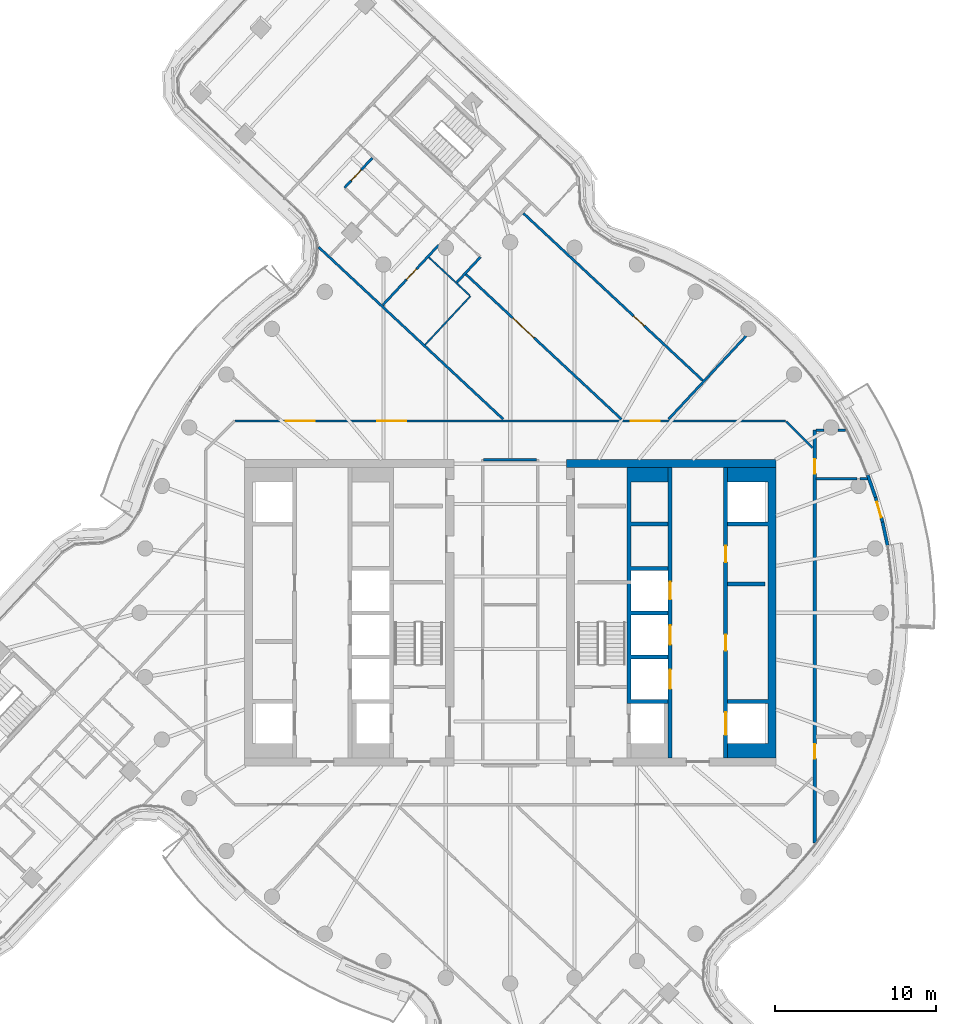
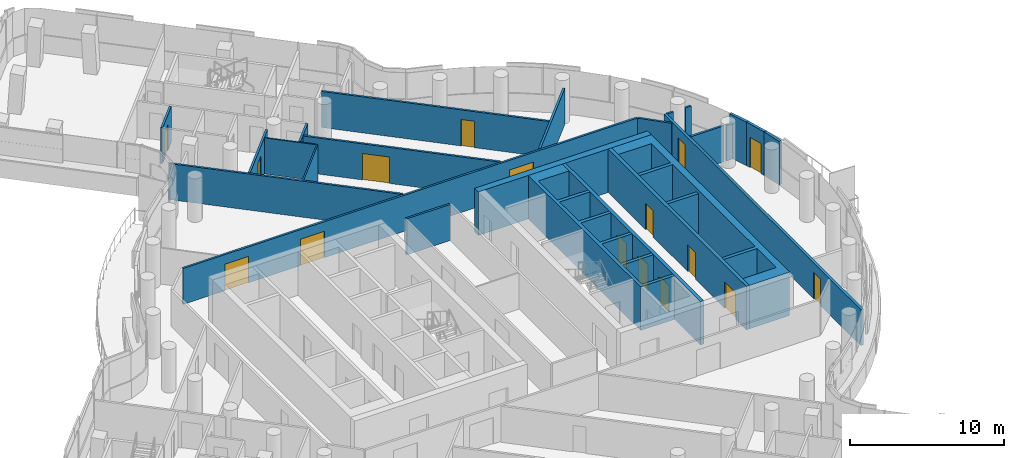
# One storey, part 20 of 30: 26 walls, 16 doors, 16 openings.
"""IFC4 building model written with IfcOpenShell, lengths in metres."""

from ifc_helpers import new_model, si_unit, direction, frame, frame_2d, origin, place, context, subcontext, project, spatial, polyline, rectangle, outline, extrude, material, layer, layer_set, type_object, element, fill, save


model = new_model("IFC4")

# Units and contexts
model_context = context("Model", 3, precision=1e-05, world=origin(), true_north=direction((0.0, 1.0)))
body_context = subcontext(model_context, "Body", "Model", "MODEL_VIEW")
ifc_project = project(units=[si_unit("LENGTHUNIT", "METRE"), si_unit("AREAUNIT", "SQUARE_METRE"), si_unit("VOLUMEUNIT", "CUBIC_METRE"), si_unit("PLANEANGLEUNIT", "RADIAN"), si_unit("MASSUNIT", "GRAM", prefix="KILO")], contexts=[model_context])

# Site, building, storey
site_placement = place(None, origin())
site = spatial("IfcSite", under=ifc_project, at=site_placement, CompositionType="ELEMENT")
building_placement = place(site_placement, origin())
building = spatial("IfcBuilding", under=site, at=building_placement, Name="Tamarind Cross Interchange Tower", CompositionType="ELEMENT")
storey_placement = place(building_placement, frame((0.0, 0.0, 204.10009765625)))
storey = spatial("IfcBuildingStorey", under=building, at=storey_placement, Name="L51", CompositionType="ELEMENT", Elevation=204.10009765625)

# Walls
ifc_material_1 = material(Name="Concrete C40", Category="concrete")
ifc_layer_1 = layer(ifc_material_1, 0.199951171875)
ifc_layer_set_1 = layer_set([ifc_layer_1], Name="Concrete C40")
wall_type_1 = type_object("IfcWallType", Name="Balcony and garden door wall", PredefinedType="SOLIDWALL", material=ifc_layer_set_1)
wall_1_placement = place(storey_placement, frame((23.418212890625, 4.18505859375, 0.0), z_axis=(0.0, 0.0, 1.0), x_axis=(-0.209313701181, 0.977848543742, 0.0)))
element("IfcWall", 1, at=wall_1_placement, inside=storey, type_object=wall_type_1, Name="EXW-L51-06-D07L", PredefinedType="SOLIDWALL", context=body_context, shape_type="SweptSolid", body=[
    extrude(rectangle(XDim=1.470703125, YDim=0.199951171875, at=frame_2d((0.7353515625, 0.0))), origin(), (0.0, 0.0, 1.0), 3.4599609375),
])
wall_2_placement = place(storey_placement, frame((22.673095703125, 7.16162109375, 0.0), z_axis=(0.0, 0.0, 1.0), x_axis=(-0.331090308045, 0.943599071597, 0.0)))
element("IfcWall", 2, at=wall_2_placement, inside=storey, type_object=wall_type_1, Name="EXW-L51-06-D07R", PredefinedType="SOLIDWALL", context=body_context, shape_type="SweptSolid", body=[
    extrude(rectangle(XDim=1.4697265625, YDim=0.199951171875, at=frame_2d((0.73486328125, 0.0))), origin(), (0.0, 0.0, 1.0), 3.4599609375),
])

# Wall, opening, door
wall_3_placement = place(storey_placement, frame((23.1103515625, 5.623291015625, 0.0), z_axis=(0.0, 0.0, 1.0), x_axis=(-0.273410318948, 0.961897498433, 0.0)))
wall_3 = element("IfcWall", 3, at=wall_3_placement, inside=storey, type_object=wall_type_1, Name="EXW-L51-06-D07", PredefinedType="SOLIDWALL", context=body_context, shape_type="SweptSolid", body=[
    extrude(rectangle(XDim=1.599365234375, YDim=0.199951171875, at=frame_2d((0.7998046875, 0.0))), origin(), (0.0, 0.0, 1.0), 3.4599609375),
])
opening_1_placement = place(wall_3_placement, frame((0.299560546875, 0.0, 0.0)))
opening_1 = element("IfcOpeningElement", 4, at=opening_1_placement, cuts=wall_3, Name="Opening D2", PredefinedType="OPENING", context=body_context, shape_type="SweptSolid", body=[
    extrude(rectangle(XDim=1.0, YDim=2.39990234375, at=frame_2d((0.5, 1.199951171875))), frame((0.0, 0.10986328125, 0.0), z_axis=(0.0, -1.0, 0.0), x_axis=(1.0, 0.0, 0.0)), (0.0, 0.0, 1.0), 0.219970703125),
])
ifc_material_2 = material(Name="Aluminium and toughened glass", Category="aluminium")
door_type_1 = type_object("IfcDoorType", Name="Balcony and garden door", OperationType="SINGLE_SWING_LEFT", PredefinedType="DOOR", material=ifc_material_2)
door_1_placement = place(opening_1_placement, origin())
door_1 = element("IfcDoor", 5, at=door_1_placement, inside=storey, type_object=door_type_1, Name="DOR-L51-06-07", OperationType="SINGLE_SWING_LEFT", OverallHeight=2.39990234375, OverallWidth=1.0, PredefinedType="DOOR", context=body_context, shape_type="SweptSolid", body=[
    extrude(rectangle(XDim=1.0, YDim=2.39990234375, at=frame_2d((0.5, 1.199951171875))), frame((0.0, 0.02490234375, 0.0), z_axis=(0.0, -1.0, 0.0), x_axis=(1.0, 0.0, 0.0)), (0.0, 0.0, 1.0), 0.050048828125),
])
fill(opening_1, door_1)

# Walls
ifc_material_3 = material(Name="Concrete C55", Category="concrete")
ifc_layer_2 = layer(ifc_material_3, 0.5)
ifc_layer_set_2 = layer_set([ifc_layer_2], Name="Concrete C55")
wall_type_2 = type_object("IfcWallType", Name="Core wall 500 mm Concrete C55", PredefinedType="SHEAR", material=ifc_layer_set_2)
wall_4_placement = place(storey_placement, origin())
element("IfcWall", 6, at=wall_4_placement, inside=storey, type_object=wall_type_2, Name="Core wall CWL-L51-E-A", PredefinedType="SHEAR", context=body_context, shape_type="SweptSolid", body=[
    extrude(outline(polyline([(13.5, -8.125), (13.5, -9.0), (16.0, -9.0), (16.5, -9.0), (16.5, 9.0), (16.0, 9.0), (13.5, 9.0), (13.5, 8.125), (16.0, 8.125), (16.0, 5.625), (13.5, 5.625), (13.5, 5.375), (16.0, 5.375), (16.0, -5.375), (13.5, -5.375), (13.5, -5.625), (16.0, -5.625), (16.0, -8.125), (13.5, -8.125)])), origin(), (0.0, 0.0, 1.0), 3.4599609375),
])
wall_5_placement = place(storey_placement, frame((16.5, 9.25, 0.0), z_axis=(0.0, 0.0, 1.0), x_axis=(-1.0, 0.0, 0.0)))
element("IfcWall", 7, at=wall_5_placement, inside=storey, type_object=wall_type_2, Name="Core wall CWL-L51-E-NE", PredefinedType="SHEAR", context=body_context, shape_type="SweptSolid", body=[
    extrude(rectangle(XDim=13.0, YDim=0.5, at=frame_2d((6.5, 0.0))), origin(), (0.0, 0.0, 1.0), 3.4599609375),
])
ifc_layer_3 = layer(ifc_material_3, 0.25)
ifc_layer_set_3 = layer_set([ifc_layer_3], Name="Concrete C55")
wall_type_3 = type_object("IfcWallType", Name="Core web wall 250 mm Concrete C55", PredefinedType="SHEAR", material=ifc_layer_set_3)
wall_6_placement = place(storey_placement, origin())
element("IfcWall", 8, at=wall_6_placement, inside=storey, type_object=wall_type_3, Name="Core wall CWL-L51-E-BN", PredefinedType="SHEAR", context=body_context, shape_type="SweptSolid", body=[
    extrude(outline(polyline([(9.800048828125, -5.375), (7.5, -5.375), (7.5, -2.875), (9.800048828125, -2.875), (9.800048828125, -2.625), (7.5, -2.625), (7.5, -0.125), (9.800048828125, -0.125), (9.800048828125, 0.125), (7.5, 0.125), (7.5, 2.625), (9.800048828125, 2.625), (9.800048828125, 2.875), (7.5, 2.875), (7.5, 5.375), (9.800048828125, 5.375), (9.800048828125, 5.625), (7.5, 5.625), (7.5, 8.125), (9.800048828125, 8.125), (9.800048828125, 9.0), (7.5, 9.0), (7.25, 9.0), (7.25, -5.625), (7.5, -5.625), (9.800048828125, -5.625), (9.800048828125, -5.375)])), origin(), (0.0, 0.0, 1.0), 3.4599609375),
])

# Wall, openings, doors
wall_7_placement = place(storey_placement, frame((13.375, -9.0, 0.0), z_axis=(0.0, 0.0, 1.0), x_axis=(0.0, 1.0, 0.0)))
wall_7 = element("IfcWall", 9, at=wall_7_placement, inside=storey, type_object=wall_type_3, Name="Core wall CWL-L51-E-LA", PredefinedType="SHEAR", context=body_context, shape_type="SweptSolid", body=[
    extrude(rectangle(XDim=18.0, YDim=0.25, at=frame_2d((9.0, 0.0))), origin(), (0.0, 0.0, 1.0), 3.4599609375),
])
opening_2_placement = place(wall_7_placement, frame((1.425048828125, 0.0, 0.0)))
opening_2 = element("IfcOpeningElement", 10, at=opening_2_placement, cuts=wall_7, Name="Opening LD13L51", PredefinedType="OPENING", context=body_context, shape_type="SweptSolid", body=[
    extrude(rectangle(XDim=1.39990234375, YDim=2.10009765625, at=frame_2d((0.699951171875, 1.050048828125))), frame((0.0, 0.135009765625, 0.0), z_axis=(0.0, -1.0, 0.0), x_axis=(1.0, 0.0, 0.0)), (0.0, 0.0, 1.0), 0.27001953125),
])
opening_3_placement = place(wall_7_placement, frame((6.64599609375, 0.0, 0.0)))
opening_3 = element("IfcOpeningElement", 11, at=opening_3_placement, cuts=wall_7, Name="Opening DCE9", PredefinedType="OPENING", context=body_context, shape_type="SweptSolid", body=[
    extrude(rectangle(XDim=1.0, YDim=2.10009765625, at=frame_2d((0.5, 1.050048828125))), frame((0.0, 0.135009765625, 0.0), z_axis=(0.0, -1.0, 0.0), x_axis=(1.0, 0.0, 0.0)), (0.0, 0.0, 1.0), 0.27001953125),
])
opening_4_placement = place(wall_7_placement, frame((12.14599609375, 0.0, 0.0)))
opening_4 = element("IfcOpeningElement", 12, at=opening_4_placement, cuts=wall_7, Name="Opening DCE10", PredefinedType="OPENING", context=body_context, shape_type="SweptSolid", body=[
    extrude(rectangle(XDim=1.0, YDim=2.10009765625, at=frame_2d((0.5, 1.050048828125))), frame((0.0, 0.135009765625, 0.0), z_axis=(0.0, -1.0, 0.0), x_axis=(1.0, 0.0, 0.0)), (0.0, 0.0, 1.0), 0.27001953125),
])
ifc_material_4 = material(Name="Steel, fire-resisting", Category="steel")
door_type_2 = type_object("IfcDoorType", Name="Core fire door 1000 x 2100 FD90", OperationType="SINGLE_SWING_LEFT", PredefinedType="DOOR", material=ifc_material_4)
door_2_placement = place(opening_3_placement, origin())
door_2 = element("IfcDoor", 13, at=door_2_placement, inside=storey, type_object=door_type_2, Name="L51 Ice and vending room door", OperationType="SINGLE_SWING_LEFT", OverallHeight=2.10009765625, OverallWidth=1.0, PredefinedType="DOOR", context=body_context, shape_type="SweptSolid", body=[
    extrude(rectangle(XDim=1.0, YDim=2.10009765625, at=frame_2d((0.5, 1.050048828125))), frame((0.0, 0.02490234375, 0.0), z_axis=(0.0, -1.0, 0.0), x_axis=(1.0, 0.0, 0.0)), (0.0, 0.0, 1.0), 0.050048828125),
])
fill(opening_3, door_2)
door_3_placement = place(opening_4_placement, origin())
door_3 = element("IfcDoor", 14, at=door_3_placement, inside=storey, type_object=door_type_2, Name="L51 Guest laundry door", OperationType="SINGLE_SWING_LEFT", OverallHeight=2.10009765625, OverallWidth=1.0, PredefinedType="DOOR", context=body_context, shape_type="SweptSolid", body=[
    extrude(rectangle(XDim=1.0, YDim=2.10009765625, at=frame_2d((0.5, 1.050048828125))), frame((0.0, 0.02490234375, 0.0), z_axis=(0.0, -1.0, 0.0), x_axis=(1.0, 0.0, 0.0)), (0.0, 0.0, 1.0), 0.050048828125),
])
fill(opening_4, door_3)
ifc_material_5 = material(Name="Stainless steel panel", Category="steel")
door_type_3 = type_object("IfcDoorType", Name="Lift landing door 1400 x 2100 E 120", OperationType="SLIDING_TO_LEFT", PredefinedType="DOOR", material=ifc_material_5)
door_4_placement = place(opening_2_placement, origin())
door_4 = element("IfcDoor", 15, at=door_4_placement, inside=storey, type_object=door_type_3, Name="L51 landing door LF13", OperationType="SLIDING_TO_LEFT", OverallHeight=2.10009765625, OverallWidth=1.39990234375, PredefinedType="DOOR", context=body_context, shape_type="SweptSolid", body=[
    extrude(rectangle(XDim=1.39990234375, YDim=2.10009765625, at=frame_2d((0.699951171875, 1.050048828125))), frame((0.0, 0.02490234375, 0.0), z_axis=(0.0, -1.0, 0.0), x_axis=(1.0, 0.0, 0.0)), (0.0, 0.0, 1.0), 0.050048828125),
])
fill(opening_2, door_4)

wall_8_placement = place(storey_placement, frame((9.925048828125, -9.0, 0.0), z_axis=(0.0, 0.0, 1.0), x_axis=(0.0, 1.0, 0.0)))
wall_8 = element("IfcWall", 16, at=wall_8_placement, inside=storey, type_object=wall_type_3, Name="Core wall CWL-L51-E-LB", PredefinedType="SHEAR", context=body_context, shape_type="SweptSolid", body=[
    extrude(rectangle(XDim=18.0, YDim=0.25, at=frame_2d((9.0, 0.0))), origin(), (0.0, 0.0, 1.0), 3.4599609375),
])
opening_5_placement = place(wall_8_placement, frame((4.27490234375, 0.0, 0.0)))
opening_5 = element("IfcOpeningElement", 17, at=opening_5_placement, cuts=wall_8, Name="Opening LD20L51", PredefinedType="OPENING", context=body_context, shape_type="SweptSolid", body=[
    extrude(rectangle(XDim=1.199951171875, YDim=2.10009765625, at=frame_2d((0.60009765625, 1.050048828125))), frame((0.0, 0.135009765625, 0.0), z_axis=(0.0, -1.0, 0.0), x_axis=(1.0, 0.0, 0.0)), (0.0, 0.0, 1.0), 0.27001953125),
])
opening_6_placement = place(wall_8_placement, frame((7.02490234375, 0.0, 0.0)))
opening_6 = element("IfcOpeningElement", 18, at=opening_6_placement, cuts=wall_8, Name="Opening LD21L51", PredefinedType="OPENING", context=body_context, shape_type="SweptSolid", body=[
    extrude(rectangle(XDim=1.199951171875, YDim=2.10009765625, at=frame_2d((0.60009765625, 1.050048828125))), frame((0.0, 0.135009765625, 0.0), z_axis=(0.0, -1.0, 0.0), x_axis=(1.0, 0.0, 0.0)), (0.0, 0.0, 1.0), 0.27001953125),
])
opening_7_placement = place(wall_8_placement, frame((9.824951171875, 0.0, 0.0)))
opening_7 = element("IfcOpeningElement", 19, at=opening_7_placement, cuts=wall_8, Name="Opening LD22L51", PredefinedType="OPENING", context=body_context, shape_type="SweptSolid", body=[
    extrude(rectangle(XDim=1.10009765625, YDim=2.10009765625, at=frame_2d((0.550048828125, 1.050048828125))), frame((0.0, 0.135009765625, 0.0), z_axis=(0.0, -1.0, 0.0), x_axis=(1.0, 0.0, 0.0)), (0.0, 0.0, 1.0), 0.27001953125),
])
door_type_4 = type_object("IfcDoorType", Name="Lift landing door 1100 x 2100 E 120", OperationType="SLIDING_TO_LEFT", PredefinedType="DOOR", material=ifc_material_5)
door_5_placement = place(opening_7_placement, origin())
door_5 = element("IfcDoor", 20, at=door_5_placement, inside=storey, type_object=door_type_4, Name="L51 landing door LF22", OperationType="SLIDING_TO_LEFT", OverallHeight=2.10009765625, OverallWidth=1.10009765625, PredefinedType="DOOR", context=body_context, shape_type="SweptSolid", body=[
    extrude(rectangle(XDim=1.10009765625, YDim=2.10009765625, at=frame_2d((0.550048828125, 1.050048828125))), frame((0.0, 0.02490234375, 0.0), z_axis=(0.0, -1.0, 0.0), x_axis=(1.0, 0.0, 0.0)), (0.0, 0.0, 1.0), 0.050048828125),
])
fill(opening_7, door_5)
door_type_5 = type_object("IfcDoorType", Name="Lift landing door 1200 x 2100 E 120", OperationType="SLIDING_TO_LEFT", PredefinedType="DOOR", material=ifc_material_5)
door_6_placement = place(opening_5_placement, origin())
door_6 = element("IfcDoor", 21, at=door_6_placement, inside=storey, type_object=door_type_5, Name="L51 landing door LF20", OperationType="SLIDING_TO_LEFT", OverallHeight=2.10009765625, OverallWidth=1.199951171875, PredefinedType="DOOR", context=body_context, shape_type="SweptSolid", body=[
    extrude(rectangle(XDim=1.199951171875, YDim=2.10009765625, at=frame_2d((0.60009765625, 1.050048828125))), frame((0.0, 0.02490234375, 0.0), z_axis=(0.0, -1.0, 0.0), x_axis=(1.0, 0.0, 0.0)), (0.0, 0.0, 1.0), 0.050048828125),
])
fill(opening_5, door_6)
door_7_placement = place(opening_6_placement, origin())
door_7 = element("IfcDoor", 22, at=door_7_placement, inside=storey, type_object=door_type_5, Name="L51 landing door LF21", OperationType="SLIDING_TO_LEFT", OverallHeight=2.10009765625, OverallWidth=1.199951171875, PredefinedType="DOOR", context=body_context, shape_type="SweptSolid", body=[
    extrude(rectangle(XDim=1.199951171875, YDim=2.10009765625, at=frame_2d((0.60009765625, 1.050048828125))), frame((0.0, 0.02490234375, 0.0), z_axis=(0.0, -1.0, 0.0), x_axis=(1.0, 0.0, 0.0)), (0.0, 0.0, 1.0), 0.050048828125),
])
fill(opening_6, door_7)

# Walls
ifc_material_6 = material(Name="Gypsum board partition on steel studs", Category="steel")
ifc_layer_4 = layer(ifc_material_6, 0.10009765625)
ifc_layer_set_4 = layer_set([ifc_layer_4], Name="Gypsum board partition on steel studs")
wall_type_4 = type_object("IfcWallType", Name="Partition 100 mm EI 90", PredefinedType="PARTITIONING", material=ifc_layer_set_4)
wall_9_placement = place(storey_placement, frame((-5.043212890625, 22.052978515625, 0.0), z_axis=(0.0, 0.0, 1.0), x_axis=(0.731533911218, -0.681805057724, 0.0)))
element("IfcWall", 23, at=wall_9_placement, inside=storey, type_object=wall_type_4, Name="Partition L51-022", PredefinedType="PARTITIONING", context=body_context, shape_type="SweptSolid", body=[
    extrude(rectangle(XDim=3.475830078125, YDim=0.10009765625, at=frame_2d((1.73779296875, 0.0))), origin(), (0.0, 0.0, 1.0), 2.864013671875),
])
wall_10_placement = place(storey_placement, frame((-5.27685546875, 16.6318359375, 0.0), z_axis=(0.0, 0.0, 1.0), x_axis=(0.681902700844, 0.731442893589, 0.0)))
element("IfcWall", 24, at=wall_10_placement, inside=storey, type_object=wall_type_4, Name="Partition L51-060", PredefinedType="PARTITIONING", context=body_context, shape_type="SweptSolid", body=[
    extrude(rectangle(XDim=4.124755859375, YDim=0.10009765625, at=frame_2d((2.0625, 0.0))), origin(), (0.0, 0.0, 1.0), 2.864013671875),
])
ifc_layer_5 = layer(ifc_material_6, 0.14990234375)
ifc_layer_set_5 = layer_set([ifc_layer_5], Name="Gypsum board partition on steel studs")
wall_type_5 = type_object("IfcWallType", Name="Partition 150 mm EI 120", PredefinedType="PARTITIONING", material=ifc_layer_set_5)
wall_11_placement = place(storey_placement, frame((17.12841796875, 11.87158203125, 0.0), z_axis=(0.0, 0.0, 1.0), x_axis=(0.707106781187, -0.707106781187, 0.0)))
element("IfcWall", 25, at=wall_11_placement, inside=storey, type_object=wall_type_5, Name="Partition L51-002", PredefinedType="PARTITIONING", context=body_context, shape_type="SweptSolid", body=[
    extrude(rectangle(XDim=2.3154296875, YDim=0.14990234375, at=frame_2d((1.15771484375, 0.0))), origin(), (0.0, 0.0, 1.0), 2.864013671875),
])
wall_12_placement = place(storey_placement, frame((-11.882080078125, 22.68505859375, 0.0), z_axis=(0.0, 0.0, 1.0), x_axis=(0.731545196646, -0.681792948969, 0.0)))
element("IfcWall", 26, at=wall_12_placement, inside=storey, type_object=wall_type_5, Name="Partition L51-016", PredefinedType="PARTITIONING", context=body_context, shape_type="SweptSolid", body=[
    extrude(rectangle(XDim=15.65380859375, YDim=0.14990234375, at=frame_2d((7.826904296875, 0.0))), origin(), (0.0, 0.0, 1.0), 2.864013671875),
])

# Wall, opening, door
wall_13_placement = place(storey_placement, frame((-2.738525390625, 20.99755859375, 0.0), z_axis=(0.0, 0.0, 1.0), x_axis=(0.731582971987, -0.681752414809, 0.0)))
wall_13 = element("IfcWall", 27, at=wall_13_placement, inside=storey, type_object=wall_type_5, Name="Partition L51-023", PredefinedType="PARTITIONING", context=body_context, shape_type="SweptSolid", body=[
    extrude(rectangle(XDim=13.179443359375, YDim=0.14990234375, at=frame_2d((6.58984375, 0.0))), origin(), (0.0, 0.0, 1.0), 2.864013671875),
])
opening_8_placement = place(wall_13_placement, frame((3.969970703125, 0.0, 0.0)))
opening_8 = element("IfcOpeningElement", 28, at=opening_8_placement, cuts=wall_13, Name="Opening D12", PredefinedType="OPENING", context=body_context, shape_type="SweptSolid", body=[
    extrude(rectangle(XDim=1.800048828125, YDim=2.10009765625, at=frame_2d((0.89990234375, 1.050048828125))), frame((0.0, 0.0849609375, 0.0), z_axis=(0.0, -1.0, 0.0), x_axis=(1.0, 0.0, 0.0)), (0.0, 0.0, 1.0), 0.169921875),
])
ifc_material_7 = material(Name="Fire-resisting door set")
door_type_6 = type_object("IfcDoorType", Name="Interior door 1800 x 2100 FD60S", OperationType="DOUBLE_DOOR_SINGLE_SWING", PredefinedType="DOOR", material=ifc_material_7)
door_8_placement = place(opening_8_placement, frame((1.800048828125, 0.0, 0.0), z_axis=(0.0, 0.0, 1.0), x_axis=(-1.0, 0.0, 0.0)))
door_8 = element("IfcDoor", 29, at=door_8_placement, inside=storey, type_object=door_type_6, Name="Door D12", OperationType="DOUBLE_DOOR_SINGLE_SWING", OverallHeight=2.10009765625, OverallWidth=1.800048828125, PredefinedType="DOOR", context=body_context, shape_type="SweptSolid", body=[
    extrude(rectangle(XDim=1.800048828125, YDim=2.10009765625, at=frame_2d((0.89990234375, 1.050048828125))), frame((0.0, 0.02490234375, 0.0), z_axis=(0.0, -1.0, 0.0), x_axis=(1.0, 0.0, 0.0)), (0.0, 0.0, 1.0), 0.050048828125),
])
fill(opening_8, door_8)

wall_14_placement = place(storey_placement, frame((0.822265625, 24.788818359375, 0.0), z_axis=(0.0, 0.0, 1.0), x_axis=(0.731510126667, -0.681830576158, 0.0)))
wall_14 = element("IfcWall", 30, at=wall_14_placement, inside=storey, type_object=wall_type_5, Name="Partition L51-027", PredefinedType="PARTITIONING", context=body_context, shape_type="SweptSolid", body=[
    extrude(rectangle(XDim=15.2197265625, YDim=0.14990234375, at=frame_2d((7.60986328125, 0.0))), origin(), (0.0, 0.0, 1.0), 2.864013671875),
])
opening_9_placement = place(wall_14_placement, frame((9.35009765625, 0.0, 0.0)))
opening_9 = element("IfcOpeningElement", 31, at=opening_9_placement, cuts=wall_14, Name="Opening D14", PredefinedType="OPENING", context=body_context, shape_type="SweptSolid", body=[
    extrude(rectangle(XDim=0.89990234375, YDim=2.10009765625, at=frame_2d((0.449951171875, 1.050048828125))), frame((0.0, 0.0849609375, 0.0), z_axis=(0.0, -1.0, 0.0), x_axis=(1.0, 0.0, 0.0)), (0.0, 0.0, 1.0), 0.169921875),
])
door_type_7 = type_object("IfcDoorType", Name="Interior door 900 x 2100 FD60S", OperationType="SINGLE_SWING_LEFT", PredefinedType="DOOR", material=ifc_material_7)
door_9_placement = place(opening_9_placement, origin())
door_9 = element("IfcDoor", 32, at=door_9_placement, inside=storey, type_object=door_type_7, Name="Door D14", OperationType="SINGLE_SWING_LEFT", OverallHeight=2.10009765625, OverallWidth=0.89990234375, PredefinedType="DOOR", context=body_context, shape_type="SweptSolid", body=[
    extrude(rectangle(XDim=0.89990234375, YDim=2.10009765625, at=frame_2d((0.449951171875, 1.050048828125))), frame((0.0, 0.02490234375, 0.0), z_axis=(0.0, -1.0, 0.0), x_axis=(1.0, 0.0, 0.0)), (0.0, 0.0, 1.0), 0.050048828125),
])
fill(opening_9, door_9)

# Wall, openings, doors
wall_15_placement = place(storey_placement, frame((-17.06494140625, 11.89990234375, 0.0), z_axis=(0.0, 0.0, 1.0), x_axis=(1.0, 0.0, 0.0)))
wall_15 = element("IfcWall", 33, at=wall_15_placement, inside=storey, type_object=wall_type_5, Name="Partition L51-032", PredefinedType="PARTITIONING", context=body_context, shape_type="SweptSolid", body=[
    extrude(rectangle(XDim=34.1650390625, YDim=0.14990234375, at=frame_2d((17.08251953125, 0.0))), origin(), (0.0, 0.0, 1.0), 2.864013671875),
])
opening_10_placement = place(wall_15_placement, frame((24.5390625, 0.0, 0.0)))
opening_10 = element("IfcOpeningElement", 34, at=opening_10_placement, cuts=wall_15, Name="Opening D21", PredefinedType="OPENING", context=body_context, shape_type="SweptSolid", body=[
    extrude(rectangle(XDim=1.800048828125, YDim=2.10009765625, at=frame_2d((0.89990234375, 1.050048828125))), frame((0.0, 0.0849609375, 0.0), z_axis=(0.0, -1.0, 0.0), x_axis=(1.0, 0.0, 0.0)), (0.0, 0.0, 1.0), 0.169921875),
])
opening_11_placement = place(wall_15_placement, frame((8.8310546875, 0.0, 0.0)))
opening_11 = element("IfcOpeningElement", 35, at=opening_11_placement, cuts=wall_15, Name="Opening D22", PredefinedType="OPENING", context=body_context, shape_type="SweptSolid", body=[
    extrude(rectangle(XDim=1.800048828125, YDim=2.10009765625, at=frame_2d((0.89990234375, 1.050048828125))), frame((0.0, 0.0849609375, 0.0), z_axis=(0.0, -1.0, 0.0), x_axis=(1.0, 0.0, 0.0)), (0.0, 0.0, 1.0), 0.169921875),
])
opening_12_placement = place(wall_15_placement, frame((3.131103515625, 0.0, 0.0)))
opening_12 = element("IfcOpeningElement", 36, at=opening_12_placement, cuts=wall_15, Name="Opening D23", PredefinedType="OPENING", context=body_context, shape_type="SweptSolid", body=[
    extrude(rectangle(XDim=1.800048828125, YDim=2.10009765625, at=frame_2d((0.89990234375, 1.050048828125))), frame((0.0, 0.0849609375, 0.0), z_axis=(0.0, -1.0, 0.0), x_axis=(1.0, 0.0, 0.0)), (0.0, 0.0, 1.0), 0.169921875),
])
door_10_placement = place(opening_10_placement, frame((1.800048828125, 0.0, 0.0), z_axis=(0.0, 0.0, 1.0), x_axis=(-1.0, 0.0, 0.0)))
door_10 = element("IfcDoor", 37, at=door_10_placement, inside=storey, type_object=door_type_6, Name="Door D21", OperationType="DOUBLE_DOOR_SINGLE_SWING", OverallHeight=2.10009765625, OverallWidth=1.800048828125, PredefinedType="DOOR", context=body_context, shape_type="SweptSolid", body=[
    extrude(rectangle(XDim=1.800048828125, YDim=2.10009765625, at=frame_2d((0.89990234375, 1.050048828125))), frame((0.0, 0.02490234375, 0.0), z_axis=(0.0, -1.0, 0.0), x_axis=(1.0, 0.0, 0.0)), (0.0, 0.0, 1.0), 0.050048828125),
])
fill(opening_10, door_10)
door_11_placement = place(opening_11_placement, origin())
door_11 = element("IfcDoor", 38, at=door_11_placement, inside=storey, type_object=door_type_6, Name="Door D22", OperationType="DOUBLE_DOOR_SINGLE_SWING", OverallHeight=2.10009765625, OverallWidth=1.800048828125, PredefinedType="DOOR", context=body_context, shape_type="SweptSolid", body=[
    extrude(rectangle(XDim=1.800048828125, YDim=2.10009765625, at=frame_2d((0.89990234375, 1.050048828125))), frame((0.0, 0.02490234375, 0.0), z_axis=(0.0, -1.0, 0.0), x_axis=(1.0, 0.0, 0.0)), (0.0, 0.0, 1.0), 0.050048828125),
])
fill(opening_11, door_11)
door_12_placement = place(opening_12_placement, origin())
door_12 = element("IfcDoor", 39, at=door_12_placement, inside=storey, type_object=door_type_6, Name="Door D23", OperationType="DOUBLE_DOOR_SINGLE_SWING", OverallHeight=2.10009765625, OverallWidth=1.800048828125, PredefinedType="DOOR", context=body_context, shape_type="SweptSolid", body=[
    extrude(rectangle(XDim=1.800048828125, YDim=2.10009765625, at=frame_2d((0.89990234375, 1.050048828125))), frame((0.0, 0.02490234375, 0.0), z_axis=(0.0, -1.0, 0.0), x_axis=(1.0, 0.0, 0.0)), (0.0, 0.0, 1.0), 0.050048828125),
])
fill(opening_12, door_12)

# Walls
wall_16_placement = place(storey_placement, frame((-1.639892578125, 9.5, 0.0), z_axis=(0.0, 0.0, 1.0), x_axis=(1.0, 0.0, 0.0)))
element("IfcWall", 40, at=wall_16_placement, inside=storey, type_object=wall_type_5, Name="Partition L51-035", PredefinedType="PARTITIONING", context=body_context, shape_type="SweptSolid", body=[
    extrude(rectangle(XDim=3.27978515625, YDim=0.14990234375, at=frame_2d((1.639892578125, 0.0))), origin(), (0.0, 0.0, 1.0), 2.864013671875),
])
wall_17_placement = place(storey_placement, frame((18.985107421875, 11.327880859375, 0.0), z_axis=(0.0, 0.0, 1.0), x_axis=(1.0, 0.0, 0.0)))
element("IfcWall", 41, at=wall_17_placement, inside=storey, type_object=wall_type_5, Name="Partition L51-038", PredefinedType="PARTITIONING", context=body_context, shape_type="SweptSolid", body=[
    extrude(rectangle(XDim=0.49462890625, YDim=0.14990234375, at=frame_2d((0.247314453125, 0.0))), origin(), (0.0, 0.0, 1.0), 2.864013671875),
])
wall_18_placement = place(storey_placement, frame((20.357421875, 11.327880859375, 0.0), z_axis=(0.0, 0.0, 1.0), x_axis=(1.0, 0.0, 0.0)))
element("IfcWall", 42, at=wall_18_placement, inside=storey, type_object=wall_type_5, Name="Partition L51-039", PredefinedType="PARTITIONING", context=body_context, shape_type="SweptSolid", body=[
    extrude(rectangle(XDim=0.4521484375, YDim=0.14990234375, at=frame_2d((0.22607421875, 0.0))), origin(), (0.0, 0.0, 1.0), 2.864013671875),
])
wall_19_placement = place(storey_placement, frame((18.985107421875, 8.327880859375, 0.0), z_axis=(0.0, 0.0, 1.0), x_axis=(1.0, 0.0, 0.0)))
element("IfcWall", 43, at=wall_19_placement, inside=storey, type_object=wall_type_5, Name="Partition L51-040", PredefinedType="PARTITIONING", context=body_context, shape_type="SweptSolid", body=[
    extrude(rectangle(XDim=2.540283203125, YDim=0.14990234375, at=frame_2d((1.27001953125, 0.0))), origin(), (0.0, 0.0, 1.0), 2.864013671875),
])
wall_20_placement = place(storey_placement, frame((21.700439453125, 8.30810546875, 0.0), z_axis=(0.0, 0.0, 1.0), x_axis=(1.0, 0.0, 0.0)))
element("IfcWall", 44, at=wall_20_placement, inside=storey, type_object=wall_type_5, Name="Partition L51-041", PredefinedType="PARTITIONING", context=body_context, shape_type="SweptSolid", body=[
    extrude(rectangle(XDim=0.464599609375, YDim=0.14990234375, at=frame_2d((0.232421875, 0.0))), origin(), (0.0, 0.0, 1.0), 2.864013671875),
])

# Wall, opening, door
wall_21_placement = place(storey_placement, frame((-10.27197265625, 26.37890625, 0.0), z_axis=(0.0, 0.0, 1.0), x_axis=(0.681872886732, 0.731470687273, 0.0)))
wall_21 = element("IfcWall", 45, at=wall_21_placement, inside=storey, type_object=wall_type_5, Name="Partition L51-056", PredefinedType="PARTITIONING", context=body_context, shape_type="SweptSolid", body=[
    extrude(rectangle(XDim=2.520263671875, YDim=0.14990234375, at=frame_2d((1.26025390625, 0.0))), origin(), (0.0, 0.0, 1.0), 2.864013671875),
])
opening_13_placement = place(wall_21_placement, frame((0.60009765625, 0.0, 0.0)))
opening_13 = element("IfcOpeningElement", 46, at=opening_13_placement, cuts=wall_21, Name="Opening D30", PredefinedType="OPENING", context=body_context, shape_type="SweptSolid", body=[
    extrude(rectangle(XDim=0.89990234375, YDim=2.10009765625, at=frame_2d((0.449951171875, 1.050048828125))), frame((0.0, 0.0849609375, 0.0), z_axis=(0.0, -1.0, 0.0), x_axis=(1.0, 0.0, 0.0)), (0.0, 0.0, 1.0), 0.169921875),
])
door_13_placement = place(opening_13_placement, frame((0.89990234375, 0.0, 0.0), z_axis=(0.0, 0.0, 1.0), x_axis=(-1.0, 0.0, 0.0)))
door_13 = element("IfcDoor", 47, at=door_13_placement, inside=storey, type_object=door_type_7, Name="Door D30", OperationType="SINGLE_SWING_LEFT", OverallHeight=2.10009765625, OverallWidth=0.89990234375, PredefinedType="DOOR", context=body_context, shape_type="SweptSolid", body=[
    extrude(rectangle(XDim=0.89990234375, YDim=2.10009765625, at=frame_2d((0.449951171875, 1.050048828125))), frame((0.0, 0.02490234375, 0.0), z_axis=(0.0, -1.0, 0.0), x_axis=(1.0, 0.0, 0.0)), (0.0, 0.0, 1.0), 0.050048828125),
])
fill(opening_13, door_13)

wall_22_placement = place(storey_placement, frame((-7.907470703125, 19.089599609375, 0.0), z_axis=(0.0, 0.0, 1.0), x_axis=(0.681793812983, 0.731544391393, 0.0)))
wall_22 = element("IfcWall", 48, at=wall_22_placement, inside=storey, type_object=wall_type_5, Name="Partition L51-057", PredefinedType="PARTITIONING", context=body_context, shape_type="SweptSolid", body=[
    extrude(rectangle(XDim=5.09375, YDim=0.14990234375, at=frame_2d((2.546875, 0.0))), origin(), (0.0, 0.0, 1.0), 2.864013671875),
])
opening_14_placement = place(wall_22_placement, frame((2.169921875, 0.0, 0.0)))
opening_14 = element("IfcOpeningElement", 49, at=opening_14_placement, cuts=wall_22, Name="Opening D31", PredefinedType="OPENING", context=body_context, shape_type="SweptSolid", body=[
    extrude(rectangle(XDim=0.89990234375, YDim=2.10009765625, at=frame_2d((0.449951171875, 1.050048828125))), frame((0.0, 0.0849609375, 0.0), z_axis=(0.0, -1.0, 0.0), x_axis=(1.0, 0.0, 0.0)), (0.0, 0.0, 1.0), 0.169921875),
])
door_14_placement = place(opening_14_placement, frame((0.89990234375, 0.0, 0.0), z_axis=(0.0, 0.0, 1.0), x_axis=(-1.0, 0.0, 0.0)))
door_14 = element("IfcDoor", 50, at=door_14_placement, inside=storey, type_object=door_type_7, Name="Door D31", OperationType="SINGLE_SWING_RIGHT", OverallHeight=2.10009765625, OverallWidth=0.89990234375, PredefinedType="DOOR", context=body_context, shape_type="SweptSolid", body=[
    extrude(rectangle(XDim=0.89990234375, YDim=2.10009765625, at=frame_2d((0.449951171875, 1.050048828125))), frame((0.0, 0.02490234375, 0.0), z_axis=(0.0, -1.0, 0.0), x_axis=(1.0, 0.0, 0.0)), (0.0, 0.0, 1.0), 0.050048828125),
])
fill(opening_14, door_14)

# Walls
wall_23_placement = place(storey_placement, frame((-3.301025390625, 20.510986328125, 0.0), z_axis=(0.0, 0.0, 1.0), x_axis=(0.681683968941, 0.731646749797, 0.0)))
element("IfcWall", 51, at=wall_23_placement, inside=storey, type_object=wall_type_5, Name="Partition L51-062", PredefinedType="PARTITIONING", context=body_context, shape_type="SweptSolid", body=[
    extrude(rectangle(XDim=2.140380859375, YDim=0.14990234375, at=frame_2d((1.0703125, 0.0))), origin(), (0.0, 0.0, 1.0), 2.864013671875),
])
wall_24_placement = place(storey_placement, frame((9.826416015625, 12.009765625, 0.0), z_axis=(0.0, 0.0, 1.0), x_axis=(0.681799231756, 0.7315393411, 0.0)))
element("IfcWall", 52, at=wall_24_placement, inside=storey, type_object=wall_type_5, Name="Partition L51-072", PredefinedType="PARTITIONING", context=body_context, shape_type="SweptSolid", body=[
    extrude(rectangle(XDim=7.05810546875, YDim=0.14990234375, at=frame_2d((3.529052734375, 0.0))), origin(), (0.0, 0.0, 1.0), 2.864013671875),
])

# Wall, openings, doors
ifc_layer_6 = layer(ifc_material_6, 0.199951171875)
ifc_layer_set_6 = layer_set([ifc_layer_6], Name="Gypsum board partition on steel studs")
wall_type_6 = type_object("IfcWallType", Name="Partition 200 mm EI 180", PredefinedType="PARTITIONING", material=ifc_layer_set_6)
wall_25_placement = place(storey_placement, frame((18.89990234375, -14.277099609375, 0.0), z_axis=(0.0, 0.0, 1.0), x_axis=(0.0, 1.0, 0.0)))
wall_25 = element("IfcWall", 53, at=wall_25_placement, inside=storey, type_object=wall_type_6, Name="Partition L51-076", PredefinedType="PARTITIONING", context=body_context, shape_type="SweptSolid", body=[
    extrude(rectangle(XDim=25.60498046875, YDim=0.199951171875, at=frame_2d((12.802490234375, 0.0))), origin(), (0.0, 0.0, 1.0), 2.864013671875),
])
opening_15_placement = place(wall_25_placement, frame((5.22705078125, 0.0, 0.0)))
opening_15 = element("IfcOpeningElement", 54, at=opening_15_placement, cuts=wall_25, Name="Opening D43", PredefinedType="OPENING", context=body_context, shape_type="SweptSolid", body=[
    extrude(rectangle(XDim=0.89990234375, YDim=2.10009765625, at=frame_2d((0.449951171875, 1.050048828125))), frame((0.0, 0.10986328125, 0.0), z_axis=(0.0, -1.0, 0.0), x_axis=(1.0, 0.0, 0.0)), (0.0, 0.0, 1.0), 0.219970703125),
])
opening_16_placement = place(wall_25_placement, frame((22.905029296875, 0.0, 0.0)))
opening_16 = element("IfcOpeningElement", 55, at=opening_16_placement, cuts=wall_25, Name="Opening D44", PredefinedType="OPENING", context=body_context, shape_type="SweptSolid", body=[
    extrude(rectangle(XDim=0.89990234375, YDim=2.10009765625, at=frame_2d((0.449951171875, 1.050048828125))), frame((0.0, 0.10986328125, 0.0), z_axis=(0.0, -1.0, 0.0), x_axis=(1.0, 0.0, 0.0)), (0.0, 0.0, 1.0), 0.219970703125),
])
door_type_8 = type_object("IfcDoorType", Name="Interior door 900 x 2100 FD120S", OperationType="SINGLE_SWING_LEFT", PredefinedType="DOOR", material=ifc_material_7)
door_15_placement = place(opening_15_placement, frame((0.89990234375, 0.0, 0.0), z_axis=(0.0, 0.0, 1.0), x_axis=(-1.0, 0.0, 0.0)))
door_15 = element("IfcDoor", 56, at=door_15_placement, inside=storey, type_object=door_type_8, Name="Door D43", OperationType="SINGLE_SWING_LEFT", OverallHeight=2.10009765625, OverallWidth=0.89990234375, PredefinedType="DOOR", context=body_context, shape_type="SweptSolid", body=[
    extrude(rectangle(XDim=0.89990234375, YDim=2.10009765625, at=frame_2d((0.449951171875, 1.050048828125))), frame((0.0, 0.02490234375, 0.0), z_axis=(0.0, -1.0, 0.0), x_axis=(1.0, 0.0, 0.0)), (0.0, 0.0, 1.0), 0.050048828125),
])
fill(opening_15, door_15)
door_16_placement = place(opening_16_placement, frame((0.89990234375, 0.0, 0.0), z_axis=(0.0, 0.0, 1.0), x_axis=(-1.0, 0.0, 0.0)))
door_16 = element("IfcDoor", 57, at=door_16_placement, inside=storey, type_object=door_type_8, Name="Door D44", OperationType="SINGLE_SWING_RIGHT", OverallHeight=2.10009765625, OverallWidth=0.89990234375, PredefinedType="DOOR", context=body_context, shape_type="SweptSolid", body=[
    extrude(rectangle(XDim=0.89990234375, YDim=2.10009765625, at=frame_2d((0.449951171875, 1.050048828125))), frame((0.0, 0.02490234375, 0.0), z_axis=(0.0, -1.0, 0.0), x_axis=(1.0, 0.0, 0.0)), (0.0, 0.0, 1.0), 0.050048828125),
])
fill(opening_16, door_16)

# Wall
ifc_layer_7 = layer(ifc_material_1, 0.25)
ifc_layer_set_7 = layer_set([ifc_layer_7], Name="Concrete C40")
wall_type_7 = type_object("IfcWallType", Name="Shaft and lobby wall 250 mm Concrete C40", PredefinedType="PARTITIONING", material=ifc_layer_set_7)
wall_26_placement = place(storey_placement, frame((15.800048828125, 1.7919921875, 0.0), z_axis=(0.0, 0.0, 1.0), x_axis=(-1.0, 0.0, 0.0)))
element("IfcWall", 58, at=wall_26_placement, inside=storey, type_object=wall_type_7, Name="Shaft wall CWL-L51-E-FPA1", PredefinedType="PARTITIONING", context=body_context, shape_type="SweptSolid", body=[
    extrude(rectangle(XDim=2.300048828125, YDim=0.25, at=frame_2d((1.14990234375, 0.0))), origin(), (0.0, 0.0, 1.0), 3.4599609375),
])

save(model, "model.ifc")
